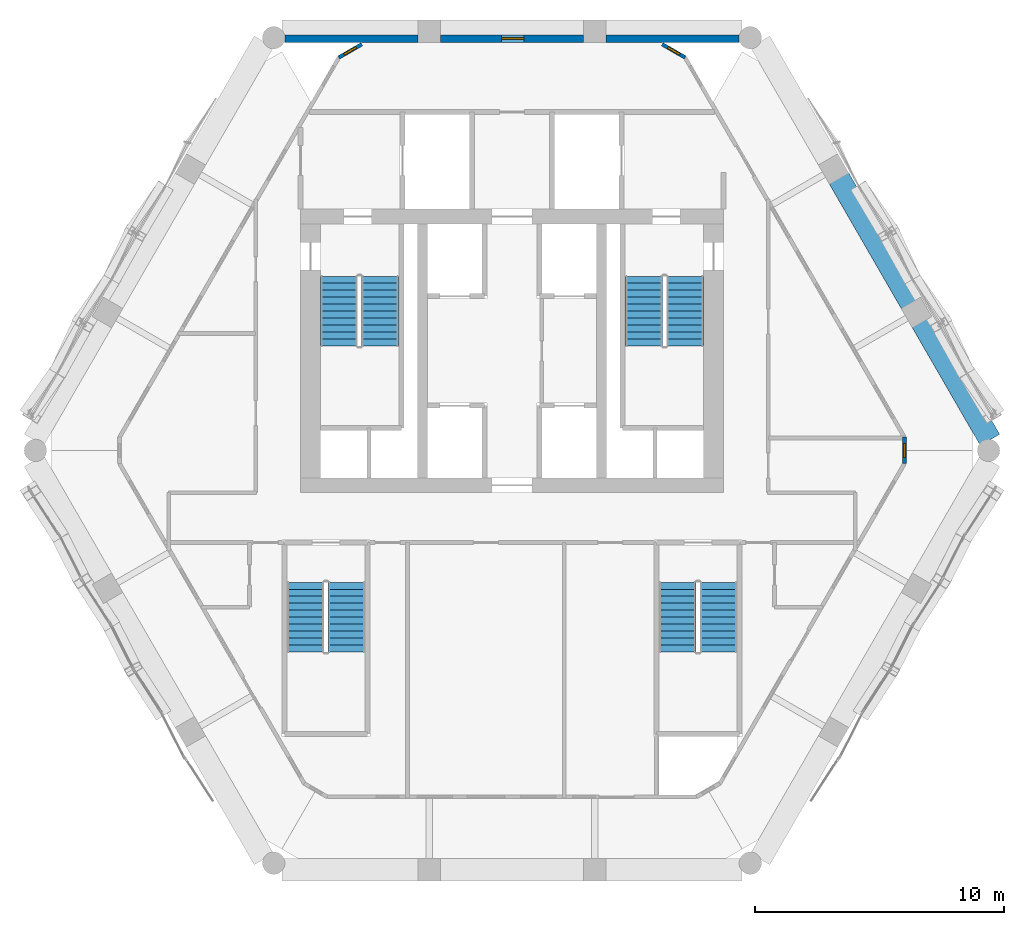
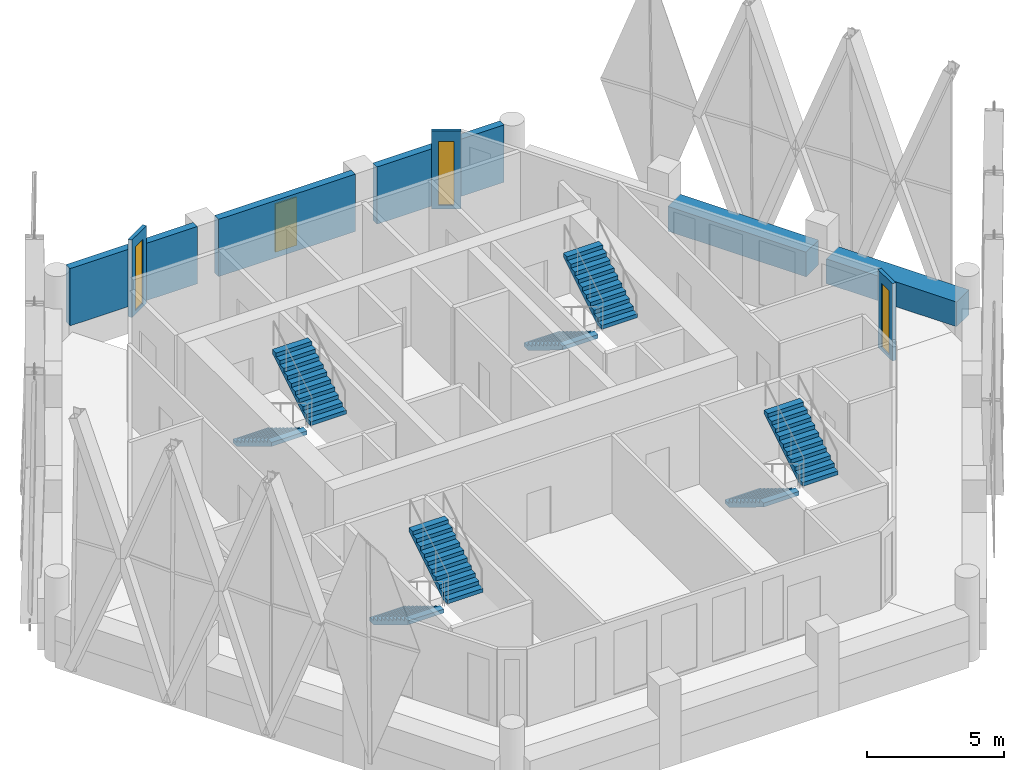
# One storey, part 15 of 18: 8 stair flights, 8 walls, 4 windows, 4 openings, 4 elements without a shape of their own.
"""IFC4 building model written with IfcOpenShell, lengths in metres."""

from ifc_helpers import new_model, si_unit, direction, frame, frame_2d, origin, place, context, subcontext, project, spatial, polyline, rectangle, outline, extrude, material, layer, layer_set, type_object, element, fill, aggregate, save


model = new_model("IFC4")

# Units and contexts
model_context = context("Model", 3, precision=1e-05, world=origin(), true_north=direction((0.0, 1.0)))
body_context = subcontext(model_context, "Body", "Model", "MODEL_VIEW")
ifc_project = project(units=[si_unit("LENGTHUNIT", "METRE"), si_unit("AREAUNIT", "SQUARE_METRE"), si_unit("VOLUMEUNIT", "CUBIC_METRE"), si_unit("PLANEANGLEUNIT", "RADIAN"), si_unit("MASSUNIT", "GRAM", prefix="KILO")], contexts=[model_context])

# Site, building, storey
site_placement = place(None, origin())
site = spatial("IfcSite", under=ifc_project, at=site_placement, CompositionType="ELEMENT")
building_placement = place(site_placement, origin())
building = spatial("IfcBuilding", under=site, at=building_placement, Name="Ostrander Bayou Hotel Tower", CompositionType="ELEMENT")
storey_placement = place(building_placement, frame((0.0, 0.0, 214.5)))
storey = spatial("IfcBuildingStorey", under=building, at=storey_placement, Name="L53", CompositionType="ELEMENT", Elevation=214.5)

# Wall, opening, window
ifc_material_1 = material(Name="Aluminium framed insulated wall", Category="aluminium")
ifc_layer_1 = layer(ifc_material_1, 0.14990234375)
ifc_layer_set_1 = layer_set([ifc_layer_1], Name="GW1 glass-line wall 150 mm")
wall_type_1 = type_object("IfcWallType", Name="GW1 glass-line wall 150 mm", PredefinedType="SOLIDWALL", material=ifc_layer_set_1)
wall_1_placement = place(storey_placement, frame((-6.0390625, 16.324951171875, 0.0), z_axis=(0.0, 0.0, 1.0), x_axis=(-0.866048165231, -0.499960573946, 0.0)))
wall_1 = element("IfcWall", 1, at=wall_1_placement, inside=storey, type_object=wall_type_1, Name="GW1 L53 corner 1", PredefinedType="SOLIDWALL", context=body_context, shape_type="SweptSolid", body=[
    extrude(rectangle(XDim=1.06494140625, YDim=0.14990234375, at=frame_2d((0.532470703125, 0.0))), origin(), (0.0, 0.0, 1.0), 3.449951171875),
])
opening_1_placement = place(wall_1_placement, frame((0.257568359375, 0.0, 0.14990234375)))
opening_1 = element("IfcOpeningElement", 2, at=opening_1_placement, cuts=wall_1, Name="Opening W19", PredefinedType="OPENING", context=body_context, shape_type="SweptSolid", body=[
    extrude(rectangle(XDim=0.550048828125, YDim=2.85009765625, at=frame_2d((0.27490234375, 1.425048828125))), frame((0.0, 0.074951171875, 0.0), z_axis=(0.0, -1.0, 0.0), x_axis=(1.0, 0.0, 0.0)), (0.0, 0.0, 1.0), 0.14990234375),
])
ifc_material_2 = material(Name="Aluminium and clear glass", Category="aluminium")
window_type_1 = type_object("IfcWindowType", Name="W19 corner window 550 mm", PartitioningType="SINGLE_PANEL", PredefinedType="WINDOW", material=ifc_material_2)
window_1_placement = place(opening_1_placement, origin())
window_1 = element("IfcWindow", 3, at=window_1_placement, inside=storey, type_object=window_type_1, Name="W19 L53 corner 1", OverallHeight=2.85009765625, OverallWidth=0.550048828125, PartitioningType="SINGLE_PANEL", PredefinedType="WINDOW", context=body_context, shape_type="SweptSolid", body=[
    extrude(rectangle(XDim=0.550048828125, YDim=2.85009765625, at=frame_2d((0.27490234375, 1.425048828125))), frame((0.0, 0.030029296875, 0.0), z_axis=(0.0, -1.0, 0.0), x_axis=(1.0, 0.0, 0.0)), (0.0, 0.0, 1.0), 0.06005859375),
])
fill(opening_1, window_1)

wall_2_placement = place(storey_placement, frame((15.771728515625, -0.532470703125, 0.0), z_axis=(0.0, 0.0, 1.0), x_axis=(0.0, 1.0, 0.0)))
wall_2 = element("IfcWall", 4, at=wall_2_placement, inside=storey, type_object=wall_type_1, Name="GW1 L53 corner 5", PredefinedType="SOLIDWALL", context=body_context, shape_type="SweptSolid", body=[
    extrude(rectangle(XDim=1.06494140625, YDim=0.14990234375, at=frame_2d((0.532470703125, 0.0))), origin(), (0.0, 0.0, 1.0), 3.449951171875),
])
opening_2_placement = place(wall_2_placement, frame((0.257568359375, 0.0, 0.14990234375)))
opening_2 = element("IfcOpeningElement", 5, at=opening_2_placement, cuts=wall_2, Name="Opening W19", PredefinedType="OPENING", context=body_context, shape_type="SweptSolid", body=[
    extrude(rectangle(XDim=0.550048828125, YDim=2.85009765625, at=frame_2d((0.27490234375, 1.425048828125))), frame((0.0, 0.074951171875, 0.0), z_axis=(0.0, -1.0, 0.0), x_axis=(1.0, 0.0, 0.0)), (0.0, 0.0, 1.0), 0.14990234375),
])
window_2_placement = place(opening_2_placement, origin())
window_2 = element("IfcWindow", 6, at=window_2_placement, inside=storey, type_object=window_type_1, Name="W19 L53 corner 5", OverallHeight=2.85009765625, OverallWidth=0.550048828125, PartitioningType="SINGLE_PANEL", PredefinedType="WINDOW", context=body_context, shape_type="SweptSolid", body=[
    extrude(rectangle(XDim=0.550048828125, YDim=2.85009765625, at=frame_2d((0.27490234375, 1.425048828125))), frame((0.0, 0.030029296875, 0.0), z_axis=(0.0, -1.0, 0.0), x_axis=(1.0, 0.0, 0.0)), (0.0, 0.0, 1.0), 0.06005859375),
])
fill(opening_2, window_2)

wall_3_placement = place(storey_placement, frame((6.96142578125, 15.79248046875, 0.0), z_axis=(0.0, 0.0, 1.0), x_axis=(-0.866048165231, 0.499960573946, 0.0)))
wall_3 = element("IfcWall", 7, at=wall_3_placement, inside=storey, type_object=wall_type_1, Name="GW1 L53 corner 6", PredefinedType="SOLIDWALL", context=body_context, shape_type="SweptSolid", body=[
    extrude(rectangle(XDim=1.06494140625, YDim=0.14990234375, at=frame_2d((0.532470703125, 0.0))), origin(), (0.0, 0.0, 1.0), 3.449951171875),
])
opening_3_placement = place(wall_3_placement, frame((0.257568359375, 0.0, 0.14990234375)))
opening_3 = element("IfcOpeningElement", 8, at=opening_3_placement, cuts=wall_3, Name="Opening W19", PredefinedType="OPENING", context=body_context, shape_type="SweptSolid", body=[
    extrude(rectangle(XDim=0.550048828125, YDim=2.85009765625, at=frame_2d((0.27490234375, 1.425048828125))), frame((0.0, 0.074951171875, 0.0), z_axis=(0.0, -1.0, 0.0), x_axis=(1.0, 0.0, 0.0)), (0.0, 0.0, 1.0), 0.14990234375),
])
window_3_placement = place(opening_3_placement, origin())
window_3 = element("IfcWindow", 9, at=window_3_placement, inside=storey, type_object=window_type_1, Name="W19 L53 corner 6", OverallHeight=2.85009765625, OverallWidth=0.550048828125, PartitioningType="SINGLE_PANEL", PredefinedType="WINDOW", context=body_context, shape_type="SweptSolid", body=[
    extrude(rectangle(XDim=0.550048828125, YDim=2.85009765625, at=frame_2d((0.27490234375, 1.425048828125))), frame((0.0, 0.030029296875, 0.0), z_axis=(0.0, -1.0, 0.0), x_axis=(1.0, 0.0, 0.0)), (0.0, 0.0, 1.0), 0.06005859375),
])
fill(opening_3, window_3)

# Wall
ifc_material_3 = material(Name="Reconstituted stone on masonry backing", Category="masonry")
ifc_layer_2 = layer(ifc_material_3, 0.300048828125)
ifc_layer_set_2 = layer_set([ifc_layer_2], Name="NW1 north stone wall 300 mm")
wall_type_2 = type_object("IfcWallType", Name="NW1 north stone wall 300 mm", PredefinedType="SOLIDWALL", material=ifc_layer_set_2)
wall_4_placement = place(storey_placement, frame((9.13134765625, 16.550048828125, 0.0), z_axis=(0.0, 0.0, 1.0), x_axis=(-1.0, 0.0, 0.0)))
element("IfcWall", 10, at=wall_4_placement, inside=storey, type_object=wall_type_2, Name="NW1 L53 N-1", PredefinedType="SOLIDWALL", context=body_context, shape_type="SweptSolid", body=[
    extrude(rectangle(XDim=5.35205078125, YDim=0.300048828125, at=frame_2d((2.676025390625, 0.0))), origin(), (0.0, 0.0, 1.0), 2.550048828125),
])

# Wall, opening, window
wall_5_placement = place(storey_placement, frame((2.87939453125, 16.550048828125, 0.0), z_axis=(0.0, 0.0, 1.0), x_axis=(-1.0, 0.0, 0.0)))
wall_5 = element("IfcWall", 11, at=wall_5_placement, inside=storey, type_object=wall_type_2, Name="NW1 L53 N-2", PredefinedType="SOLIDWALL", context=body_context, shape_type="SweptSolid", body=[
    extrude(rectangle(XDim=5.7587890625, YDim=0.300048828125, at=frame_2d((2.87939453125, 0.0))), origin(), (0.0, 0.0, 1.0), 2.550048828125),
])
opening_4_placement = place(wall_5_placement, frame((2.39990234375, 0.0, 0.14990234375)))
opening_4 = element("IfcOpeningElement", 12, at=opening_4_placement, cuts=wall_5, Name="Opening W18", PredefinedType="OPENING", context=body_context, shape_type="SweptSolid", body=[
    extrude(rectangle(XDim=0.89990234375, YDim=2.14990234375, at=frame_2d((0.449951171875, 1.074951171875))), frame((0.0, 0.14990234375, 0.0), z_axis=(0.0, -1.0, 0.0), x_axis=(1.0, 0.0, 0.0)), (0.0, 0.0, 1.0), 0.300048828125),
])
ifc_material_4 = material(Name="Aluminium and clear glass", Category="aluminium")
window_type_2 = type_object("IfcWindowType", Name="W18 window 900 mm, zone 4", PartitioningType="SINGLE_PANEL", PredefinedType="WINDOW", material=ifc_material_4)
window_4_placement = place(opening_4_placement, origin())
window_4 = element("IfcWindow", 13, at=window_4_placement, inside=storey, type_object=window_type_2, Name="W18 L53 north N-2", OverallHeight=2.14990234375, OverallWidth=0.89990234375, PartitioningType="SINGLE_PANEL", PredefinedType="WINDOW", context=body_context, shape_type="SweptSolid", body=[
    extrude(rectangle(XDim=0.89990234375, YDim=2.14990234375, at=frame_2d((0.449951171875, 1.074951171875))), frame((0.0, 0.030029296875, 0.0), z_axis=(0.0, -1.0, 0.0), x_axis=(1.0, 0.0, 0.0)), (0.0, 0.0, 1.0), 0.06005859375),
])
fill(opening_4, window_4)

# Walls
wall_6_placement = place(storey_placement, frame((-3.779296875, 16.550048828125, 0.0), z_axis=(0.0, 0.0, 1.0), x_axis=(-1.0, 0.0, 0.0)))
element("IfcWall", 14, at=wall_6_placement, inside=storey, type_object=wall_type_2, Name="NW1 L53 N-3", PredefinedType="SOLIDWALL", context=body_context, shape_type="SweptSolid", body=[
    extrude(rectangle(XDim=5.35205078125, YDim=0.300048828125, at=frame_2d((2.676025390625, 0.0))), origin(), (0.0, 0.0, 1.0), 2.550048828125),
])
ifc_material_5 = material(Name="Concrete f'c 40 MPa", Category="concrete")
ifc_layer_3 = layer(ifc_material_5, 0.89990234375)
ifc_layer_set_3 = layer_set([ifc_layer_3], Name="PA1 stone-faced parapet 900 mm")
wall_type_3 = type_object("IfcWallType", Name="PA1 stone-faced parapet 900 mm", PredefinedType="PARAPET", material=ifc_layer_set_3)
wall_7_placement = place(storey_placement, frame((19.213134765625, 0.422119140625, 0.0), z_axis=(0.0, 0.0, 1.0), x_axis=(-0.50000722722, 0.866021231107, 0.0)))
element("IfcWall", 15, at=wall_7_placement, inside=storey, type_object=wall_type_3, Name="PA1 L53 NE-1", PredefinedType="PARAPET", context=body_context, shape_type="SweptSolid", body=[
    extrude(rectangle(XDim=5.49169921875, YDim=0.89990234375, at=frame_2d((2.745849609375, 0.0))), origin(), (0.0, 0.0, 1.0), 1.10009765625),
])
wall_8_placement = place(storey_placement, frame((16.047119140625, 5.905517578125, 0.0), z_axis=(0.0, 0.0, 1.0), x_axis=(-0.500015433515, 0.866016493057, 0.0)))
element("IfcWall", 16, at=wall_8_placement, inside=storey, type_object=wall_type_3, Name="PA1 L53 NE-2", PredefinedType="PARAPET", context=body_context, shape_type="SweptSolid", body=[
    extrude(rectangle(XDim=5.818603515625, YDim=0.89990234375, at=frame_2d((2.9091796875, 0.0))), origin(), (0.0, 0.0, 1.0), 1.10009765625),
])

# Stair, stair flights
ifc_material_6 = material(Name="Concrete f'c 45 MPa", Category="concrete")
stair_type = type_object("IfcStairType", Name="ST1 exit stair 1500 mm f'c 45 MPa", PredefinedType="HALF_TURN_STAIR", material=ifc_material_6)
stair_1_placement = place(storey_placement, origin())
stair_1 = element("IfcStair", 17, at=stair_1_placement, inside=storey, type_object=stair_type, Name="L53 exit stair A", PredefinedType="HALF_TURN_STAIR")
ifc_material_7 = material(Name="Concrete f'c 45 MPa", Category="concrete")
stair_flight_type = type_object("IfcStairFlightType", Name="SF1 stair flight 1500 mm f'c 45 MPa", PredefinedType="STRAIGHT", material=ifc_material_7)
stair_flight_1_placement = place(storey_placement, frame((-6.949951171875, 7.0, 0.0), z_axis=(0.0, 0.0, 1.0), x_axis=(0.0, -1.0, 0.0)))
stair_flight_1 = element("IfcStairFlight", 18, at=stair_flight_1_placement, type_object=stair_flight_type, Name="STA flight 1", NumberOfRisers=11, NumberOfTreads=10, PredefinedType="STRAIGHT", RiserHeight=0.170454545, TreadLength=0.28, context=body_context, shape_type="SweptSolid", body=[
    extrude(outline(polyline([(0.0, 0.0), (0.0, 0.17041015625), (0.280029296875, 0.17041015625), (0.280029296875, 0.3408203125), (0.56005859375, 0.3408203125), (0.56005859375, 0.511474609375), (0.840087890625, 0.511474609375), (0.840087890625, 0.681884765625), (1.1201171875, 0.681884765625), (1.1201171875, 0.852294921875), (1.39990234375, 0.852294921875), (1.39990234375, 1.022705078125), (1.679931640625, 1.022705078125), (1.679931640625, 1.193115234375), (1.9599609375, 1.193115234375), (1.9599609375, 1.363525390625), (2.239990234375, 1.363525390625), (2.239990234375, 1.5341796875), (2.52001953125, 1.5341796875), (2.52001953125, 1.70458984375), (2.800048828125, 1.70458984375), (2.800048828125, 1.875), (2.800048828125, 1.529052734375), (0.288330078125, 0.0), (0.0, 0.0)])), frame((0.0, 0.75, 0.0), z_axis=(0.0, -1.0, 0.0), x_axis=(1.0, 0.0, 0.0)), (0.0, 0.0, 1.0), 1.5),
])
stair_flight_2_placement = place(storey_placement, frame((-5.300048828125, 4.199951171875, 1.875), z_axis=(0.0, 0.0, 1.0), x_axis=(0.0, 1.0, 0.0)))
stair_flight_2 = element("IfcStairFlight", 19, at=stair_flight_2_placement, type_object=stair_flight_type, Name="STA flight 2", NumberOfRisers=11, NumberOfTreads=10, PredefinedType="STRAIGHT", RiserHeight=0.170454545, TreadLength=0.28, context=body_context, shape_type="SweptSolid", body=[
    extrude(outline(polyline([(0.0, 0.0), (0.0, 0.17041015625), (0.280029296875, 0.17041015625), (0.280029296875, 0.3408203125), (0.56005859375, 0.3408203125), (0.56005859375, 0.511474609375), (0.840087890625, 0.511474609375), (0.840087890625, 0.681884765625), (1.1201171875, 0.681884765625), (1.1201171875, 0.852294921875), (1.39990234375, 0.852294921875), (1.39990234375, 1.022705078125), (1.679931640625, 1.022705078125), (1.679931640625, 1.193115234375), (1.9599609375, 1.193115234375), (1.9599609375, 1.363525390625), (2.239990234375, 1.363525390625), (2.239990234375, 1.5341796875), (2.52001953125, 1.5341796875), (2.52001953125, 1.70458984375), (2.800048828125, 1.70458984375), (2.800048828125, 1.875), (2.800048828125, 1.529052734375), (0.288330078125, 0.0), (0.0, 0.0)])), frame((0.0, 0.75, 0.0), z_axis=(0.0, -1.0, 0.0), x_axis=(1.0, 0.0, 0.0)), (0.0, 0.0, 1.0), 1.5),
])
aggregate(stair_1, [stair_flight_1, stair_flight_2])

stair_2_placement = place(storey_placement, origin())
stair_2 = element("IfcStair", 20, at=stair_2_placement, inside=storey, type_object=stair_type, Name="L53 exit stair B", PredefinedType="HALF_TURN_STAIR")
stair_flight_3_placement = place(storey_placement, frame((5.300048828125, 7.0, 0.0), z_axis=(0.0, 0.0, 1.0), x_axis=(0.0, -1.0, 0.0)))
stair_flight_3 = element("IfcStairFlight", 21, at=stair_flight_3_placement, type_object=stair_flight_type, Name="STB flight 1", NumberOfRisers=11, NumberOfTreads=10, PredefinedType="STRAIGHT", RiserHeight=0.170454545, TreadLength=0.28, context=body_context, shape_type="SweptSolid", body=[
    extrude(outline(polyline([(0.0, 0.0), (0.0, 0.17041015625), (0.280029296875, 0.17041015625), (0.280029296875, 0.3408203125), (0.56005859375, 0.3408203125), (0.56005859375, 0.511474609375), (0.840087890625, 0.511474609375), (0.840087890625, 0.681884765625), (1.1201171875, 0.681884765625), (1.1201171875, 0.852294921875), (1.39990234375, 0.852294921875), (1.39990234375, 1.022705078125), (1.679931640625, 1.022705078125), (1.679931640625, 1.193115234375), (1.9599609375, 1.193115234375), (1.9599609375, 1.363525390625), (2.239990234375, 1.363525390625), (2.239990234375, 1.5341796875), (2.52001953125, 1.5341796875), (2.52001953125, 1.70458984375), (2.800048828125, 1.70458984375), (2.800048828125, 1.875), (2.800048828125, 1.529052734375), (0.288330078125, 0.0), (0.0, 0.0)])), frame((0.0, 0.75, 0.0), z_axis=(0.0, -1.0, 0.0), x_axis=(1.0, 0.0, 0.0)), (0.0, 0.0, 1.0), 1.5),
])
stair_flight_4_placement = place(storey_placement, frame((6.949951171875, 4.199951171875, 1.875), z_axis=(0.0, 0.0, 1.0), x_axis=(0.0, 1.0, 0.0)))
stair_flight_4 = element("IfcStairFlight", 22, at=stair_flight_4_placement, type_object=stair_flight_type, Name="STB flight 2", NumberOfRisers=11, NumberOfTreads=10, PredefinedType="STRAIGHT", RiserHeight=0.170454545, TreadLength=0.28, context=body_context, shape_type="SweptSolid", body=[
    extrude(outline(polyline([(0.0, 0.0), (0.0, 0.17041015625), (0.280029296875, 0.17041015625), (0.280029296875, 0.3408203125), (0.56005859375, 0.3408203125), (0.56005859375, 0.511474609375), (0.840087890625, 0.511474609375), (0.840087890625, 0.681884765625), (1.1201171875, 0.681884765625), (1.1201171875, 0.852294921875), (1.39990234375, 0.852294921875), (1.39990234375, 1.022705078125), (1.679931640625, 1.022705078125), (1.679931640625, 1.193115234375), (1.9599609375, 1.193115234375), (1.9599609375, 1.363525390625), (2.239990234375, 1.363525390625), (2.239990234375, 1.5341796875), (2.52001953125, 1.5341796875), (2.52001953125, 1.70458984375), (2.800048828125, 1.70458984375), (2.800048828125, 1.875), (2.800048828125, 1.529052734375), (0.288330078125, 0.0), (0.0, 0.0)])), frame((0.0, 0.75, 0.0), z_axis=(0.0, -1.0, 0.0), x_axis=(1.0, 0.0, 0.0)), (0.0, 0.0, 1.0), 1.5),
])
aggregate(stair_2, [stair_flight_3, stair_flight_4])

stair_3_placement = place(storey_placement, origin())
stair_3 = element("IfcStair", 23, at=stair_3_placement, inside=storey, type_object=stair_type, Name="L53 exit stair C", PredefinedType="HALF_TURN_STAIR")
stair_flight_5_placement = place(storey_placement, frame((6.64990234375, -5.300048828125, 0.0), z_axis=(0.0, 0.0, 1.0), x_axis=(0.0, -1.0, 0.0)))
stair_flight_5 = element("IfcStairFlight", 24, at=stair_flight_5_placement, type_object=stair_flight_type, Name="STC flight 1", NumberOfRisers=11, NumberOfTreads=10, PredefinedType="STRAIGHT", RiserHeight=0.170454545, TreadLength=0.28, context=body_context, shape_type="SweptSolid", body=[
    extrude(outline(polyline([(0.0, 0.0), (0.0, 0.17041015625), (0.280029296875, 0.17041015625), (0.280029296875, 0.3408203125), (0.56005859375, 0.3408203125), (0.56005859375, 0.511474609375), (0.840087890625, 0.511474609375), (0.840087890625, 0.681884765625), (1.1201171875, 0.681884765625), (1.1201171875, 0.852294921875), (1.39990234375, 0.852294921875), (1.39990234375, 1.022705078125), (1.679931640625, 1.022705078125), (1.679931640625, 1.193115234375), (1.9599609375, 1.193115234375), (1.9599609375, 1.363525390625), (2.239990234375, 1.363525390625), (2.239990234375, 1.5341796875), (2.52001953125, 1.5341796875), (2.52001953125, 1.70458984375), (2.800048828125, 1.70458984375), (2.800048828125, 1.875), (2.800048828125, 1.529052734375), (0.288330078125, 0.0), (0.0, 0.0)])), frame((0.0, 0.75, 0.0), z_axis=(0.0, -1.0, 0.0), x_axis=(1.0, 0.0, 0.0)), (0.0, 0.0, 1.0), 1.5),
])
stair_flight_6_placement = place(storey_placement, frame((8.300048828125, -8.10009765625, 1.875), z_axis=(0.0, 0.0, 1.0), x_axis=(0.0, 1.0, 0.0)))
stair_flight_6 = element("IfcStairFlight", 25, at=stair_flight_6_placement, type_object=stair_flight_type, Name="STC flight 2", NumberOfRisers=11, NumberOfTreads=10, PredefinedType="STRAIGHT", RiserHeight=0.170454545, TreadLength=0.28, context=body_context, shape_type="SweptSolid", body=[
    extrude(outline(polyline([(0.0, 0.0), (0.0, 0.17041015625), (0.280029296875, 0.17041015625), (0.280029296875, 0.3408203125), (0.56005859375, 0.3408203125), (0.56005859375, 0.511474609375), (0.840087890625, 0.511474609375), (0.840087890625, 0.681884765625), (1.1201171875, 0.681884765625), (1.1201171875, 0.852294921875), (1.39990234375, 0.852294921875), (1.39990234375, 1.022705078125), (1.679931640625, 1.022705078125), (1.679931640625, 1.193115234375), (1.9599609375, 1.193115234375), (1.9599609375, 1.363525390625), (2.239990234375, 1.363525390625), (2.239990234375, 1.5341796875), (2.52001953125, 1.5341796875), (2.52001953125, 1.70458984375), (2.800048828125, 1.70458984375), (2.800048828125, 1.875), (2.800048828125, 1.529052734375), (0.288330078125, 0.0), (0.0, 0.0)])), frame((0.0, 0.75, 0.0), z_axis=(0.0, -1.0, 0.0), x_axis=(1.0, 0.0, 0.0)), (0.0, 0.0, 1.0), 1.5),
])
aggregate(stair_3, [stair_flight_5, stair_flight_6])

stair_4_placement = place(storey_placement, origin())
stair_4 = element("IfcStair", 26, at=stair_4_placement, inside=storey, type_object=stair_type, Name="L53 exit stair D", PredefinedType="HALF_TURN_STAIR")
stair_flight_7_placement = place(storey_placement, frame((-8.300048828125, -5.300048828125, 0.0), z_axis=(0.0, 0.0, 1.0), x_axis=(0.0, -1.0, 0.0)))
stair_flight_7 = element("IfcStairFlight", 27, at=stair_flight_7_placement, type_object=stair_flight_type, Name="STD flight 1", NumberOfRisers=11, NumberOfTreads=10, PredefinedType="STRAIGHT", RiserHeight=0.170454545, TreadLength=0.28, context=body_context, shape_type="SweptSolid", body=[
    extrude(outline(polyline([(0.0, 0.0), (0.0, 0.17041015625), (0.280029296875, 0.17041015625), (0.280029296875, 0.3408203125), (0.56005859375, 0.3408203125), (0.56005859375, 0.511474609375), (0.840087890625, 0.511474609375), (0.840087890625, 0.681884765625), (1.1201171875, 0.681884765625), (1.1201171875, 0.852294921875), (1.39990234375, 0.852294921875), (1.39990234375, 1.022705078125), (1.679931640625, 1.022705078125), (1.679931640625, 1.193115234375), (1.9599609375, 1.193115234375), (1.9599609375, 1.363525390625), (2.239990234375, 1.363525390625), (2.239990234375, 1.5341796875), (2.52001953125, 1.5341796875), (2.52001953125, 1.70458984375), (2.800048828125, 1.70458984375), (2.800048828125, 1.875), (2.800048828125, 1.529052734375), (0.288330078125, 0.0), (0.0, 0.0)])), frame((0.0, 0.75, 0.0), z_axis=(0.0, -1.0, 0.0), x_axis=(1.0, 0.0, 0.0)), (0.0, 0.0, 1.0), 1.5),
])
stair_flight_8_placement = place(storey_placement, frame((-6.64990234375, -8.10009765625, 1.875), z_axis=(0.0, 0.0, 1.0), x_axis=(0.0, 1.0, 0.0)))
stair_flight_8 = element("IfcStairFlight", 28, at=stair_flight_8_placement, type_object=stair_flight_type, Name="STD flight 2", NumberOfRisers=11, NumberOfTreads=10, PredefinedType="STRAIGHT", RiserHeight=0.170454545, TreadLength=0.28, context=body_context, shape_type="SweptSolid", body=[
    extrude(outline(polyline([(0.0, 0.0), (0.0, 0.17041015625), (0.280029296875, 0.17041015625), (0.280029296875, 0.3408203125), (0.56005859375, 0.3408203125), (0.56005859375, 0.511474609375), (0.840087890625, 0.511474609375), (0.840087890625, 0.681884765625), (1.1201171875, 0.681884765625), (1.1201171875, 0.852294921875), (1.39990234375, 0.852294921875), (1.39990234375, 1.022705078125), (1.679931640625, 1.022705078125), (1.679931640625, 1.193115234375), (1.9599609375, 1.193115234375), (1.9599609375, 1.363525390625), (2.239990234375, 1.363525390625), (2.239990234375, 1.5341796875), (2.52001953125, 1.5341796875), (2.52001953125, 1.70458984375), (2.800048828125, 1.70458984375), (2.800048828125, 1.875), (2.800048828125, 1.529052734375), (0.288330078125, 0.0), (0.0, 0.0)])), frame((0.0, 0.75, 0.0), z_axis=(0.0, -1.0, 0.0), x_axis=(1.0, 0.0, 0.0)), (0.0, 0.0, 1.0), 1.5),
])
aggregate(stair_4, [stair_flight_7, stair_flight_8])

save(model, "model.ifc")
